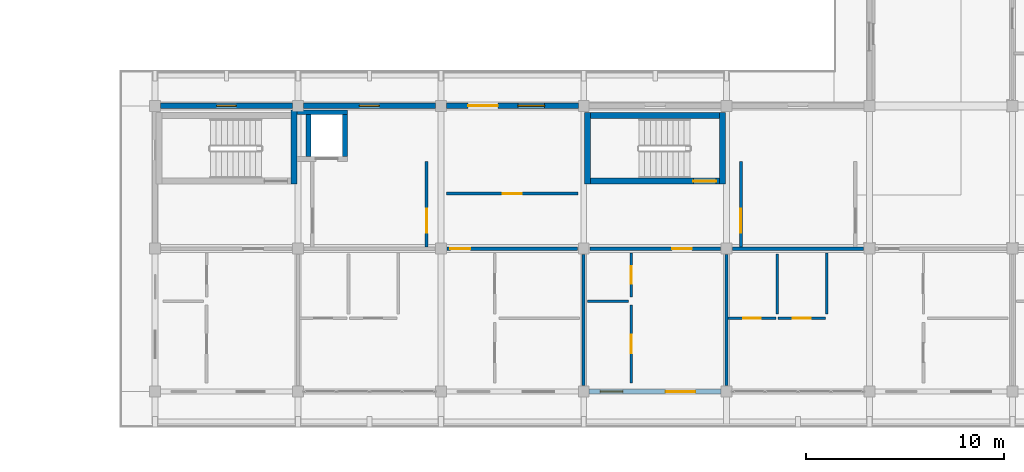
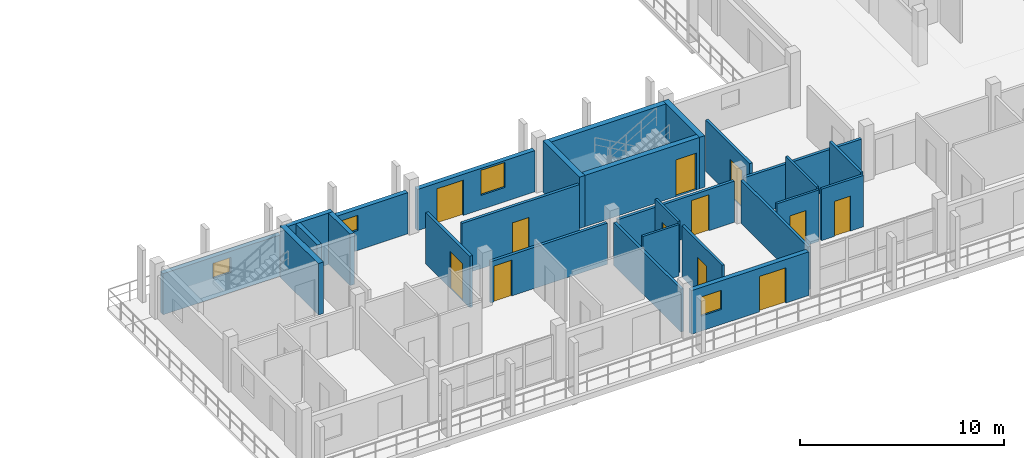
# One storey, part 41 of 60: 27 walls, 12 doors, 4 windows, 16 openings.
"""IFC4 building model written with IfcOpenShell, lengths in metres."""

from ifc_helpers import new_model, si_unit, direction, frame, frame_2d, origin, place, context, subcontext, project, spatial, rectangle, extrude, material, layer, layer_set, type_object, element, fill, save


model = new_model("IFC4")

# Units and contexts
model_context = context("Model", 3, precision=1e-05, world=origin(), true_north=direction((0.0, 1.0)))
body_context = subcontext(model_context, "Body", "Model", "MODEL_VIEW")
ifc_project = project(units=[si_unit("LENGTHUNIT", "METRE"), si_unit("AREAUNIT", "SQUARE_METRE"), si_unit("VOLUMEUNIT", "CUBIC_METRE"), si_unit("PLANEANGLEUNIT", "RADIAN"), si_unit("MASSUNIT", "GRAM", prefix="KILO")], contexts=[model_context])

# Site, building, storey
site_placement = place(None, origin())
site = spatial("IfcSite", under=ifc_project, at=site_placement, CompositionType="ELEMENT")
building_placement = place(site_placement, origin())
building = spatial("IfcBuilding", under=site, at=building_placement, Name="Suanplinth Sawtooth Commons", CompositionType="ELEMENT")
storey_placement = place(building_placement, frame((0.0, 0.0, 31.5)))
storey = spatial("IfcBuildingStorey", under=building, at=storey_placement, Name="L09", CompositionType="ELEMENT", Elevation=31.5)

# Wall
ifc_material_1 = material(Name="Concrete C40/50", Category="concrete")
ifc_layer_1 = layer(ifc_material_1, 0.300048828125, Name="Standard RC stair and lift core wall 300mm")
ifc_layer_set_1 = layer_set([ifc_layer_1], Name="Concrete C40/50")
wall_type_1 = type_object("IfcWallType", Name="W-CR02", PredefinedType="SHEAR", material=ifc_layer_set_1)
wall_1_placement = place(storey_placement, frame((143.800048828125, 10.449951171875, 0.0), z_axis=(0.0, 0.0, 1.0), x_axis=(0.0, 1.0, 0.0)))
element("IfcWall", 1, at=wall_1_placement, inside=storey, type_object=wall_type_1, Name="W-L09-C-C1-STE", PredefinedType="SHEAR", context=body_context, shape_type="SweptSolid", body=[
    extrude(rectangle(XDim=3.75, YDim=0.300048828125, at=frame_2d((1.875, 0.0))), origin(), (0.0, 0.0, 1.0), 3.080078125),
])

# Wall, opening, door
wall_2_placement = place(storey_placement, frame((158.75, 10.60009765625, 0.0), z_axis=(0.0, 0.0, 1.0), x_axis=(1.0, 0.0, 0.0)))
wall_2 = element("IfcWall", 2, at=wall_2_placement, inside=storey, type_object=wall_type_1, Name="W-L09-C-C2-STS", PredefinedType="SHEAR", context=body_context, shape_type="SweptSolid", body=[
    extrude(rectangle(XDim=6.5, YDim=0.300048828125, at=frame_2d((3.25, 0.0))), origin(), (0.0, 0.0, 1.0), 3.080078125),
])
opening_1_placement = place(wall_2_placement, frame((5.169921875, 0.0, 0.0)))
opening_1 = element("IfcOpeningElement", 3, at=opening_1_placement, cuts=wall_2, Name="Opening FD0351", PredefinedType="OPENING", context=body_context, shape_type="SweptSolid", body=[
    extrude(rectangle(XDim=1.14990234375, YDim=2.199951171875, at=frame_2d((0.574951171875, 1.10009765625))), frame((0.0, 0.1650390625, 0.0), z_axis=(0.0, -1.0, 0.0), x_axis=(1.0, 0.0, 0.0)), (0.0, 0.0, 1.0), 0.329833984375),
])
ifc_material_2 = material(Name="Teak hardwood fire-rated door assembly", Category="wood")
door_type_1 = type_object("IfcDoorType", Name="FD-01", OperationType="NOTDEFINED", PredefinedType="DOOR", material=ifc_material_2)
door_1_placement = place(opening_1_placement, origin())
door_1 = element("IfcDoor", 4, at=door_1_placement, inside=storey, type_object=door_type_1, Name="Exit Stair Fire Door FD0351", OperationType="SINGLE_SWING_RIGHT", OverallHeight=2.199951171875, OverallWidth=1.14990234375, PredefinedType="DOOR", context=body_context, shape_type="SweptSolid", body=[
    extrude(rectangle(XDim=1.14990234375, YDim=2.199951171875, at=frame_2d((0.574951171875, 1.10009765625))), frame((0.0, 0.02490234375, 0.0), z_axis=(0.0, -1.0, 0.0), x_axis=(1.0, 0.0, 0.0)), (0.0, 0.0, 1.0), 0.050048828125),
])
fill(opening_1, door_1)

# Walls
wall_3_placement = place(storey_placement, frame((158.75, 13.89990234375, 0.0), z_axis=(0.0, 0.0, 1.0), x_axis=(1.0, 0.0, 0.0)))
element("IfcWall", 5, at=wall_3_placement, inside=storey, type_object=wall_type_1, Name="W-L09-C-C2-STN", PredefinedType="SHEAR", context=body_context, shape_type="SweptSolid", body=[
    extrude(rectangle(XDim=6.5, YDim=0.300048828125, at=frame_2d((3.25, 0.0))), origin(), (0.0, 0.0, 1.0), 3.080078125),
])
for number, where, z_axis, x_axis, name in (
    (6, (158.60009765625, 10.449951171875, 0.0), (0.0, 0.0, 1.0), (0.0, 1.0, 0.0), "W-L09-C-C2-STW"),
    (7, (165.39990234375, 10.449951171875, 0.0), (0.0, 0.0, 1.0), (0.0, 1.0, 0.0), "W-L09-C-C2-STE"),
):
    element("IfcWall", number, at=place(storey_placement, frame(where, z_axis=z_axis, x_axis=x_axis)), inside=storey, type_object=wall_type_1, Name=name, PredefinedType="SHEAR", context=body_context, shape_type="SweptSolid", body=[
        extrude(rectangle(XDim=3.60009765625, YDim=0.300048828125, at=frame_2d((1.800048828125, 0.0))), origin(), (0.0, 0.0, 1.0), 3.080078125),
    ])

# Wall, opening, window
ifc_material_3 = material(Name="Precast concrete C40/50", Category="concrete")
ifc_layer_2 = layer(ifc_material_3, 0.260009765625, Name="Insulated precast courtyard facade wall 260mm")
ifc_layer_set_2 = layer_set([ifc_layer_2], Name="Precast concrete C40/50")
wall_type_2 = type_object("IfcWallType", Name="W-EX02", PredefinedType="ELEMENTEDWALL", material=ifc_layer_set_2)
wall_4_placement = place(storey_placement, frame((137.074951171875, 14.39990234375, 0.0), z_axis=(0.0, 0.0, 1.0), x_axis=(1.0, 0.0, 0.0)))
wall_4 = element("IfcWall", 8, at=wall_4_placement, inside=storey, type_object=wall_type_2, Name="Facade Wall W-L09-C-N-19-1", PredefinedType="ELEMENTEDWALL", context=body_context, shape_type="SweptSolid", body=[
    extrude(rectangle(XDim=6.650146484375, YDim=0.260009765625, at=frame_2d((3.3251953125, 0.0))), origin(), (0.0, 0.0, 1.0), 2.465087890625),
])
opening_2_placement = place(wall_4_placement, frame((2.824951171875, 0.0, 1.199951171875)))
opening_2 = element("IfcOpeningElement", 9, at=opening_2_placement, cuts=wall_4, Name="Opening W0803", PredefinedType="OPENING", context=body_context, shape_type="SweptSolid", body=[
    extrude(rectangle(XDim=1.0, YDim=0.89990234375, at=frame_2d((0.5, 0.449951171875))), frame((0.0, 0.14501953125, 0.0), z_axis=(0.0, -1.0, 0.0), x_axis=(1.0, 0.0, 0.0)), (0.0, 0.0, 1.0), 0.289794921875),
])
ifc_material_4 = material(Name="Thermally broken aluminium and low-E double glazing", Category="aluminium")
window_type_1 = type_object("IfcWindowType", Name="WN-12", PartitioningType="SINGLE_PANEL", PredefinedType="WINDOW", material=ifc_material_4)
window_1_placement = place(opening_2_placement, origin())
window_1 = element("IfcWindow", 10, at=window_1_placement, inside=storey, type_object=window_type_1, Name="Core Daylight Window L09-C-19-1", OverallHeight=0.89990234375, OverallWidth=1.0, PartitioningType="SINGLE_PANEL", PredefinedType="WINDOW", context=body_context, shape_type="SweptSolid", body=[
    extrude(rectangle(XDim=1.0, YDim=0.89990234375, at=frame_2d((0.5, 0.449951171875))), frame((0.0, 0.030029296875, 0.0), z_axis=(0.0, -1.0, 0.0), x_axis=(1.0, 0.0, 0.0)), (0.0, 0.0, 1.0), 0.06005859375),
])
fill(opening_2, window_1)

wall_5_placement = place(storey_placement, frame((144.27490234375, 14.39990234375, 0.0), z_axis=(0.0, 0.0, 1.0), x_axis=(1.0, 0.0, 0.0)))
wall_5 = element("IfcWall", 11, at=wall_5_placement, inside=storey, type_object=wall_type_2, Name="Facade Wall W-L09-C-N-20-1", PredefinedType="ELEMENTEDWALL", context=body_context, shape_type="SweptSolid", body=[
    extrude(rectangle(XDim=6.650146484375, YDim=0.260009765625, at=frame_2d((3.3251953125, 0.0))), origin(), (0.0, 0.0, 1.0), 2.465087890625),
])
opening_3_placement = place(wall_5_placement, frame((2.824951171875, 0.0, 1.199951171875)))
opening_3 = element("IfcOpeningElement", 12, at=opening_3_placement, cuts=wall_5, Name="Opening W0805", PredefinedType="OPENING", context=body_context, shape_type="SweptSolid", body=[
    extrude(rectangle(XDim=1.0, YDim=0.89990234375, at=frame_2d((0.5, 0.449951171875))), frame((0.0, 0.14501953125, 0.0), z_axis=(0.0, -1.0, 0.0), x_axis=(1.0, 0.0, 0.0)), (0.0, 0.0, 1.0), 0.289794921875),
])
window_2_placement = place(opening_3_placement, origin())
window_2 = element("IfcWindow", 13, at=window_2_placement, inside=storey, type_object=window_type_1, Name="Core Daylight Window L09-C-20-1", OverallHeight=0.89990234375, OverallWidth=1.0, PartitioningType="SINGLE_PANEL", PredefinedType="WINDOW", context=body_context, shape_type="SweptSolid", body=[
    extrude(rectangle(XDim=1.0, YDim=0.89990234375, at=frame_2d((0.5, 0.449951171875))), frame((0.0, 0.030029296875, 0.0), z_axis=(0.0, -1.0, 0.0), x_axis=(1.0, 0.0, 0.0)), (0.0, 0.0, 1.0), 0.06005859375),
])
fill(opening_3, window_2)

# Wall, openings, door, window
wall_6_placement = place(storey_placement, frame((151.47509765625, 14.39990234375, 0.0), z_axis=(0.0, 0.0, 1.0), x_axis=(1.0, 0.0, 0.0)))
wall_6 = element("IfcWall", 14, at=wall_6_placement, inside=storey, type_object=wall_type_2, Name="Facade Wall W-L09-C-N-21-1", PredefinedType="ELEMENTEDWALL", context=body_context, shape_type="SweptSolid", body=[
    extrude(rectangle(XDim=6.64990234375, YDim=0.260009765625, at=frame_2d((3.324951171875, 0.0))), origin(), (0.0, 0.0, 1.0), 2.465087890625),
])
opening_4_placement = place(wall_6_placement, frame((1.10009765625, 0.0, 0.0)))
opening_4 = element("IfcOpeningElement", 15, at=opening_4_placement, cuts=wall_6, Name="Opening ED0724", PredefinedType="OPENING", context=body_context, shape_type="SweptSolid", body=[
    extrude(rectangle(XDim=1.5, YDim=2.1201171875, at=frame_2d((0.75, 1.06005859375))), frame((0.0, 0.14501953125, 0.0), z_axis=(0.0, -1.0, 0.0), x_axis=(1.0, 0.0, 0.0)), (0.0, 0.0, 1.0), 0.289794921875),
])
opening_5_placement = place(wall_6_placement, frame((3.60009765625, 0.0, 0.85498046875)))
opening_5 = element("IfcOpeningElement", 16, at=opening_5_placement, cuts=wall_6, Name="Opening W0807", PredefinedType="OPENING", context=body_context, shape_type="SweptSolid", body=[
    extrude(rectangle(XDim=1.35009765625, YDim=1.5, at=frame_2d((0.675048828125, 0.75))), frame((0.0, 0.14501953125, 0.0), z_axis=(0.0, -1.0, 0.0), x_axis=(1.0, 0.0, 0.0)), (0.0, 0.0, 1.0), 0.289794921875),
])
ifc_material_5 = material(Name="Anodized aluminium and low-E glass", Category="aluminium")
door_type_2 = type_object("IfcDoorType", Name="SD-03", OperationType="SLIDING_TO_LEFT", PredefinedType="DOOR", material=ifc_material_5)
door_2_placement = place(opening_4_placement, frame((1.5, 0.0, 0.0), z_axis=(0.0, 0.0, 1.0), x_axis=(-1.0, 0.0, 0.0)))
door_2 = element("IfcDoor", 17, at=door_2_placement, inside=storey, type_object=door_type_2, Name="Courtyard Balcony Door L09-C-21", OperationType="SLIDING_TO_LEFT", OverallHeight=2.1201171875, OverallWidth=1.5, PredefinedType="DOOR", context=body_context, shape_type="SweptSolid", body=[
    extrude(rectangle(XDim=1.5, YDim=2.1201171875, at=frame_2d((0.75, 1.06005859375))), frame((0.0, 0.02490234375, 0.0), z_axis=(0.0, -1.0, 0.0), x_axis=(1.0, 0.0, 0.0)), (0.0, 0.0, 1.0), 0.050048828125),
])
fill(opening_4, door_2)
window_type_2 = type_object("IfcWindowType", Name="WN-14", PartitioningType="SINGLE_PANEL", PredefinedType="WINDOW", material=ifc_material_4)
window_3_placement = place(opening_5_placement, origin())
window_3 = element("IfcWindow", 18, at=window_3_placement, inside=storey, type_object=window_type_2, Name="Courtyard Window L09-C-21", OverallHeight=1.5, OverallWidth=1.35009765625, PartitioningType="SINGLE_PANEL", PredefinedType="WINDOW", context=body_context, shape_type="SweptSolid", body=[
    extrude(rectangle(XDim=1.35009765625, YDim=1.5, at=frame_2d((0.675048828125, 0.75))), frame((0.0, 0.030029296875, 0.0), z_axis=(0.0, -1.0, 0.0), x_axis=(1.0, 0.0, 0.0)), (0.0, 0.0, 1.0), 0.06005859375),
])
fill(opening_5, window_3)

wall_7_placement = place(storey_placement, frame((158.675048828125, 0.0, 0.0), z_axis=(0.0, 0.0, 1.0), x_axis=(1.0, 0.0, 0.0)))
wall_7 = element("IfcWall", 19, at=wall_7_placement, inside=storey, type_object=wall_type_2, Name="Facade Wall W-L09-C-S-22-0", PredefinedType="ELEMENTEDWALL", context=body_context, shape_type="SweptSolid", body=[
    extrude(rectangle(XDim=6.64990234375, YDim=0.260009765625, at=frame_2d((3.324951171875, 0.0))), origin(), (0.0, 0.0, 1.0), 2.614990234375),
])
opening_6_placement = place(wall_7_placement, frame((3.85009765625, 0.0, 0.0)))
opening_6 = element("IfcOpeningElement", 20, at=opening_6_placement, cuts=wall_7, Name="Opening ED0725", PredefinedType="OPENING", context=body_context, shape_type="SweptSolid", body=[
    extrude(rectangle(XDim=1.5, YDim=2.1201171875, at=frame_2d((0.75, 1.06005859375))), frame((0.0, 0.14501953125, 0.0), z_axis=(0.0, -1.0, 0.0), x_axis=(1.0, 0.0, 0.0)), (0.0, 0.0, 1.0), 0.289794921875),
])
opening_7_placement = place(wall_7_placement, frame((0.550048828125, 0.0, 0.89990234375)))
opening_7 = element("IfcOpeningElement", 21, at=opening_7_placement, cuts=wall_7, Name="Opening W0808", PredefinedType="OPENING", context=body_context, shape_type="SweptSolid", body=[
    extrude(rectangle(XDim=1.14990234375, YDim=1.14990234375, at=frame_2d((0.574951171875, 0.574951171875))), frame((0.0, 0.14501953125, 0.0), z_axis=(0.0, -1.0, 0.0), x_axis=(1.0, 0.0, 0.0)), (0.0, 0.0, 1.0), 0.289794921875),
])
door_3_placement = place(opening_6_placement, frame((1.5, 0.0, 0.0), z_axis=(0.0, 0.0, 1.0), x_axis=(-1.0, 0.0, 0.0)))
door_3 = element("IfcDoor", 22, at=door_3_placement, inside=storey, type_object=door_type_2, Name="Balcony Sliding Door L09-C-22", OperationType="SLIDING_TO_LEFT", OverallHeight=2.1201171875, OverallWidth=1.5, PredefinedType="DOOR", context=body_context, shape_type="SweptSolid", body=[
    extrude(rectangle(XDim=1.5, YDim=2.1201171875, at=frame_2d((0.75, 1.06005859375))), frame((0.0, 0.02490234375, 0.0), z_axis=(0.0, -1.0, 0.0), x_axis=(1.0, 0.0, 0.0)), (0.0, 0.0, 1.0), 0.050048828125),
])
fill(opening_6, door_3)
window_type_3 = type_object("IfcWindowType", Name="WN-20", PartitioningType="SINGLE_PANEL", PredefinedType="WINDOW", material=ifc_material_4)
window_4_placement = place(opening_7_placement, origin())
window_4 = element("IfcWindow", 23, at=window_4_placement, inside=storey, type_object=window_type_3, Name="Apartment Window L09-C-22", OverallHeight=1.14990234375, OverallWidth=1.14990234375, PartitioningType="SINGLE_PANEL", PredefinedType="WINDOW", context=body_context, shape_type="SweptSolid", body=[
    extrude(rectangle(XDim=1.14990234375, YDim=1.14990234375, at=frame_2d((0.574951171875, 0.574951171875))), frame((0.0, 0.030029296875, 0.0), z_axis=(0.0, -1.0, 0.0), x_axis=(1.0, 0.0, 0.0)), (0.0, 0.0, 1.0), 0.06005859375),
])
fill(opening_7, window_4)

# Wall, opening, door
ifc_layer_3 = layer(ifc_material_3, 0.159912109375, Name="Fire-rated corridor and lobby wall 160mm")
ifc_layer_set_3 = layer_set([ifc_layer_3], Name="Precast concrete C40/50")
wall_type_3 = type_object("IfcWallType", Name="W-FW01", PredefinedType="PARTITIONING", material=ifc_layer_set_3)
wall_8_placement = place(storey_placement, frame((150.47998046875, 7.280029296875, 0.0), z_axis=(0.0, 0.0, 1.0), x_axis=(0.0, 1.0, 0.0)))
wall_8 = element("IfcWall", 24, at=wall_8_placement, inside=storey, type_object=wall_type_3, Name="W-L09-C-C1-LOB-E", PredefinedType="PARTITIONING", context=body_context, shape_type="SweptSolid", body=[
    extrude(rectangle(XDim=4.320068359375, YDim=0.159912109375, at=frame_2d((2.16015625, 0.0))), origin(), (0.0, 0.0, 1.0), 3.080078125),
])
opening_8_placement = place(wall_8_placement, frame((0.719970703125, 0.0, 0.0)))
opening_8 = element("IfcOpeningElement", 25, at=opening_8_placement, cuts=wall_8, Name="Opening FD0318", PredefinedType="OPENING", context=body_context, shape_type="SweptSolid", body=[
    extrude(rectangle(XDim=1.199951171875, YDim=2.199951171875, at=frame_2d((0.60009765625, 1.10009765625))), frame((0.0, 0.0947265625, 0.0), z_axis=(0.0, -1.0, 0.0), x_axis=(1.0, 0.0, 0.0)), (0.0, 0.0, 1.0), 0.189697265625),
])
door_type_3 = type_object("IfcDoorType", Name="FD-02", OperationType="NOTDEFINED", PredefinedType="DOOR", material=ifc_material_2)
door_4_placement = place(opening_8_placement, frame((1.199951171875, 0.0, 0.0), z_axis=(0.0, 0.0, 1.0), x_axis=(-1.0, 0.0, 0.0)))
door_4 = element("IfcDoor", 26, at=door_4_placement, inside=storey, type_object=door_type_3, Name="Lobby Fire Door FD0318", OperationType="SINGLE_SWING_LEFT", OverallHeight=2.199951171875, OverallWidth=1.199951171875, PredefinedType="DOOR", context=body_context, shape_type="SweptSolid", body=[
    extrude(rectangle(XDim=1.199951171875, YDim=2.199951171875, at=frame_2d((0.60009765625, 1.10009765625))), frame((0.0, 0.02490234375, 0.0), z_axis=(0.0, -1.0, 0.0), x_axis=(1.0, 0.0, 0.0)), (0.0, 0.0, 1.0), 0.050048828125),
])
fill(opening_8, door_4)

wall_9_placement = place(storey_placement, frame((166.320068359375, 7.280029296875, 0.0), z_axis=(0.0, 0.0, 1.0), x_axis=(0.0, 1.0, 0.0)))
wall_9 = element("IfcWall", 27, at=wall_9_placement, inside=storey, type_object=wall_type_3, Name="W-L09-C-C2-LOB-W", PredefinedType="PARTITIONING", context=body_context, shape_type="SweptSolid", body=[
    extrude(rectangle(XDim=4.320068359375, YDim=0.159912109375, at=frame_2d((2.16015625, 0.0))), origin(), (0.0, 0.0, 1.0), 3.080078125),
])
opening_9_placement = place(wall_9_placement, frame((0.719970703125, 0.0, 0.0)))
opening_9 = element("IfcOpeningElement", 28, at=opening_9_placement, cuts=wall_9, Name="Opening FD0352", PredefinedType="OPENING", context=body_context, shape_type="SweptSolid", body=[
    extrude(rectangle(XDim=1.199951171875, YDim=2.199951171875, at=frame_2d((0.60009765625, 1.10009765625))), frame((0.0, 0.0947265625, 0.0), z_axis=(0.0, -1.0, 0.0), x_axis=(1.0, 0.0, 0.0)), (0.0, 0.0, 1.0), 0.189697265625),
])
door_5_placement = place(opening_9_placement, origin())
door_5 = element("IfcDoor", 29, at=door_5_placement, inside=storey, type_object=door_type_3, Name="Lobby Fire Door FD0352", OperationType="SINGLE_SWING_LEFT", OverallHeight=2.199951171875, OverallWidth=1.199951171875, PredefinedType="DOOR", context=body_context, shape_type="SweptSolid", body=[
    extrude(rectangle(XDim=1.199951171875, YDim=2.199951171875, at=frame_2d((0.60009765625, 1.10009765625))), frame((0.0, 0.02490234375, 0.0), z_axis=(0.0, -1.0, 0.0), x_axis=(1.0, 0.0, 0.0)), (0.0, 0.0, 1.0), 0.050048828125),
])
fill(opening_9, door_5)

wall_10_placement = place(storey_placement, frame((151.5048828125, 7.199951171875, 0.0), z_axis=(0.0, 0.0, 1.0), x_axis=(1.0, 0.0, 0.0)))
wall_10 = element("IfcWall", 30, at=wall_10_placement, inside=storey, type_object=wall_type_3, Name="W-C-L09-U02-COR-S2", PredefinedType="PARTITIONING", context=body_context, shape_type="SweptSolid", body=[
    extrude(rectangle(XDim=6.590087890625, YDim=0.159912109375, at=frame_2d((3.294921875, 0.0))), origin(), (0.0, 0.0, 1.0), 2.465087890625),
])
opening_10_placement = place(wall_10_placement, frame((0.179931640625, 0.0, 0.0)))
opening_10 = element("IfcOpeningElement", 31, at=opening_10_placement, cuts=wall_10, Name="Opening FD1823", PredefinedType="OPENING", context=body_context, shape_type="SweptSolid", body=[
    extrude(rectangle(XDim=1.0, YDim=2.14990234375, at=frame_2d((0.5, 1.074951171875))), frame((0.0, 0.0947265625, 0.0), z_axis=(0.0, -1.0, 0.0), x_axis=(1.0, 0.0, 0.0)), (0.0, 0.0, 1.0), 0.189697265625),
])
door_type_4 = type_object("IfcDoorType", Name="FD-03", OperationType="NOTDEFINED", PredefinedType="DOOR", material=ifc_material_2)
door_6_placement = place(opening_10_placement, frame((1.0, 0.0, 0.0), z_axis=(0.0, 0.0, 1.0), x_axis=(-1.0, 0.0, 0.0)))
door_6 = element("IfcDoor", 32, at=door_6_placement, inside=storey, type_object=door_type_4, Name="Unit Entrance Door FD1823", OperationType="SINGLE_SWING_LEFT", OverallHeight=2.14990234375, OverallWidth=1.0, PredefinedType="DOOR", context=body_context, shape_type="SweptSolid", body=[
    extrude(rectangle(XDim=1.0, YDim=2.14990234375, at=frame_2d((0.5, 1.074951171875))), frame((0.0, 0.02490234375, 0.0), z_axis=(0.0, -1.0, 0.0), x_axis=(1.0, 0.0, 0.0)), (0.0, 0.0, 1.0), 0.050048828125),
])
fill(opening_10, door_6)

wall_11_placement = place(storey_placement, frame((158.705078125, 7.199951171875, 0.0), z_axis=(0.0, 0.0, 1.0), x_axis=(1.0, 0.0, 0.0)))
wall_11 = element("IfcWall", 33, at=wall_11_placement, inside=storey, type_object=wall_type_3, Name="W-C-L09-U03-COR", PredefinedType="PARTITIONING", context=body_context, shape_type="SweptSolid", body=[
    extrude(rectangle(XDim=6.58984375, YDim=0.159912109375, at=frame_2d((3.294921875, 0.0))), origin(), (0.0, 0.0, 1.0), 2.465087890625),
])
opening_11_placement = place(wall_11_placement, frame((4.14501953125, 0.0, 0.0)))
opening_11 = element("IfcOpeningElement", 34, at=opening_11_placement, cuts=wall_11, Name="Opening FD1828", PredefinedType="OPENING", context=body_context, shape_type="SweptSolid", body=[
    extrude(rectangle(XDim=1.0, YDim=2.14990234375, at=frame_2d((0.5, 1.074951171875))), frame((0.0, 0.0947265625, 0.0), z_axis=(0.0, -1.0, 0.0), x_axis=(1.0, 0.0, 0.0)), (0.0, 0.0, 1.0), 0.189697265625),
])
door_7_placement = place(opening_11_placement, frame((1.0, 0.0, 0.0), z_axis=(0.0, 0.0, 1.0), x_axis=(-1.0, 0.0, 0.0)))
door_7 = element("IfcDoor", 35, at=door_7_placement, inside=storey, type_object=door_type_4, Name="Unit Entrance Door FD1828", OperationType="SINGLE_SWING_RIGHT", OverallHeight=2.14990234375, OverallWidth=1.0, PredefinedType="DOOR", context=body_context, shape_type="SweptSolid", body=[
    extrude(rectangle(XDim=1.0, YDim=2.14990234375, at=frame_2d((0.5, 1.074951171875))), frame((0.0, 0.02490234375, 0.0), z_axis=(0.0, -1.0, 0.0), x_axis=(1.0, 0.0, 0.0)), (0.0, 0.0, 1.0), 0.050048828125),
])
fill(opening_11, door_7)

# Wall
wall_12_placement = place(storey_placement, frame((165.905029296875, 7.199951171875, 0.0), z_axis=(0.0, 0.0, 1.0), x_axis=(1.0, 0.0, 0.0)))
element("IfcWall", 36, at=wall_12_placement, inside=storey, type_object=wall_type_3, Name="W-C-L09-U04-COR-S1", PredefinedType="PARTITIONING", context=body_context, shape_type="SweptSolid", body=[
    extrude(rectangle(XDim=6.590087890625, YDim=0.159912109375, at=frame_2d((3.294921875, 0.0))), origin(), (0.0, 0.0, 1.0), 2.465087890625),
])

# Wall, opening, door
wall_13_placement = place(storey_placement, frame((151.47998046875, 9.97998046875, 0.0), z_axis=(0.0, 0.0, 1.0), x_axis=(1.0, 0.0, 0.0)))
wall_13 = element("IfcWall", 37, at=wall_13_placement, inside=storey, type_object=wall_type_3, Name="W-C-L09-COURTROOM-31-COR", PredefinedType="PARTITIONING", context=body_context, shape_type="SweptSolid", body=[
    extrude(rectangle(XDim=6.64013671875, YDim=0.159912109375, at=frame_2d((3.320068359375, 0.0))), origin(), (0.0, 0.0, 1.0), 3.080078125),
])
opening_12_placement = place(wall_13_placement, frame((2.85009765625, 0.0, 0.0)))
opening_12 = element("IfcOpeningElement", 38, at=opening_12_placement, cuts=wall_13, Name="Opening D1839", PredefinedType="OPENING", context=body_context, shape_type="SweptSolid", body=[
    extrude(rectangle(XDim=0.93994140625, YDim=2.1201171875, at=frame_2d((0.469970703125, 1.06005859375))), frame((0.0, 0.0947265625, 0.0), z_axis=(0.0, -1.0, 0.0), x_axis=(1.0, 0.0, 0.0)), (0.0, 0.0, 1.0), 0.189697265625),
])
ifc_material_6 = material(Name="Teak hardwood", Category="wood")
door_type_5 = type_object("IfcDoorType", Name="D-15", OperationType="NOTDEFINED", PredefinedType="DOOR", material=ifc_material_6)
door_8_placement = place(opening_12_placement, origin())
door_8 = element("IfcDoor", 39, at=door_8_placement, inside=storey, type_object=door_type_5, Name="Study Studio Door D1839", OperationType="SINGLE_SWING_LEFT", OverallHeight=2.1201171875, OverallWidth=0.93994140625, PredefinedType="DOOR", context=body_context, shape_type="SweptSolid", body=[
    extrude(rectangle(XDim=0.93994140625, YDim=2.1201171875, at=frame_2d((0.469970703125, 1.06005859375))), frame((0.0, 0.02490234375, 0.0), z_axis=(0.0, -1.0, 0.0), x_axis=(1.0, 0.0, 0.0)), (0.0, 0.0, 1.0), 0.050048828125),
])
fill(opening_12, door_8)

# Walls
ifc_layer_4 = layer(ifc_material_3, 0.14990234375, Name="Acoustic precast party demising wall 150mm")
ifc_layer_set_4 = layer_set([ifc_layer_4], Name="Precast concrete C40/50")
wall_type_4 = type_object("IfcWallType", Name="W-FW02", PredefinedType="PARTITIONING", material=ifc_layer_set_4)
for number, where, z_axis, x_axis, name in (
    (40, (158.39990234375, 0.304931640625, 0.0), (0.0, 0.0, 1.0), (0.0, 1.0, 0.0), "W-C-L09-U02-PTY"),
    (41, (165.60009765625, 0.304931640625, 0.0), (0.0, 0.0, 1.0), (0.0, 1.0, 0.0), "W-C-L09-U03-PTY"),
):
    element("IfcWall", number, at=place(storey_placement, frame(where, z_axis=z_axis, x_axis=x_axis)), inside=storey, type_object=wall_type_4, Name=name, PredefinedType="PARTITIONING", context=body_context, shape_type="SweptSolid", body=[
        extrude(rectangle(XDim=6.590087890625, YDim=0.14990234375, at=frame_2d((3.294921875, 0.0))), origin(), (0.0, 0.0, 1.0), 2.56494140625),
    ])

# Wall, opening, door
ifc_material_7 = material(Name="Gypsum plasterboard on steel stud", Category="steel")
ifc_layer_5 = layer(ifc_material_7, 0.139892578125, Name="Fire-rated kitchen partition 140mm")
ifc_layer_set_5 = layer_set([ifc_layer_5], Name="Gypsum plasterboard on steel stud")
wall_type_5 = type_object("IfcWallType", Name="W-PT01", PredefinedType="PARTITIONING", material=ifc_layer_set_5)
wall_14_placement = place(storey_placement, frame((160.794921875, 0.419921875, 0.0), z_axis=(0.0, 0.0, 1.0), x_axis=(0.0, 1.0, 0.0)))
wall_14 = element("IfcWall", 42, at=wall_14_placement, inside=storey, type_object=wall_type_5, Name="W-C-L09-U03-KITE", PredefinedType="PARTITIONING", context=body_context, shape_type="SweptSolid", body=[
    extrude(rectangle(XDim=3.940185546875, YDim=0.139892578125, at=frame_2d((1.97021484375, 0.0))), origin(), (0.0, 0.0, 1.0), 3.080078125),
])
opening_13_placement = place(wall_14_placement, frame((1.510009765625, 0.0, 0.0)))
opening_13 = element("IfcOpeningElement", 43, at=opening_13_placement, cuts=wall_14, Name="Opening D1830", PredefinedType="OPENING", context=body_context, shape_type="SweptSolid", body=[
    extrude(rectangle(XDim=0.919921875, YDim=2.10009765625, at=frame_2d((0.4599609375, 1.050048828125))), frame((0.0, 0.0849609375, 0.0), z_axis=(0.0, -1.0, 0.0), x_axis=(1.0, 0.0, 0.0)), (0.0, 0.0, 1.0), 0.169677734375),
])
door_type_6 = type_object("IfcDoorType", Name="D-02", OperationType="NOTDEFINED", PredefinedType="DOOR", material=ifc_material_6)
door_9_placement = place(opening_13_placement, origin())
door_9 = element("IfcDoor", 44, at=door_9_placement, inside=storey, type_object=door_type_6, Name="Kitchen Door D1830", OperationType="SINGLE_SWING_RIGHT", OverallHeight=2.10009765625, OverallWidth=0.919921875, PredefinedType="DOOR", context=body_context, shape_type="SweptSolid", body=[
    extrude(rectangle(XDim=0.919921875, YDim=2.10009765625, at=frame_2d((0.4599609375, 1.050048828125))), frame((0.0, 0.02490234375, 0.0), z_axis=(0.0, -1.0, 0.0), x_axis=(1.0, 0.0, 0.0)), (0.0, 0.0, 1.0), 0.050048828125),
])
fill(opening_13, door_9)

wall_15_placement = place(storey_placement, frame((168.199951171875, 3.68994140625, 0.0), z_axis=(0.0, 0.0, 1.0), x_axis=(1.0, 0.0, 0.0)))
wall_15 = element("IfcWall", 45, at=wall_15_placement, inside=storey, type_object=wall_type_5, Name="W-C-L09-U04-KIT1", PredefinedType="PARTITIONING", context=body_context, shape_type="SweptSolid", body=[
    extrude(rectangle(XDim=2.380126953125, YDim=0.139892578125, at=frame_2d((1.18994140625, 0.0))), origin(), (0.0, 0.0, 1.0), 3.080078125),
])
opening_14_placement = place(wall_15_placement, frame((0.72998046875, 0.0, 0.0)))
opening_14 = element("IfcOpeningElement", 46, at=opening_14_placement, cuts=wall_15, Name="Opening D1833", PredefinedType="OPENING", context=body_context, shape_type="SweptSolid", body=[
    extrude(rectangle(XDim=0.919921875, YDim=2.10009765625, at=frame_2d((0.4599609375, 1.050048828125))), frame((0.0, 0.0849609375, 0.0), z_axis=(0.0, -1.0, 0.0), x_axis=(1.0, 0.0, 0.0)), (0.0, 0.0, 1.0), 0.169677734375),
])
door_10_placement = place(opening_14_placement, origin())
door_10 = element("IfcDoor", 47, at=door_10_placement, inside=storey, type_object=door_type_6, Name="Kitchen Door D1833", OperationType="SINGLE_SWING_LEFT", OverallHeight=2.10009765625, OverallWidth=0.919921875, PredefinedType="DOOR", context=body_context, shape_type="SweptSolid", body=[
    extrude(rectangle(XDim=0.919921875, YDim=2.10009765625, at=frame_2d((0.4599609375, 1.050048828125))), frame((0.0, 0.02490234375, 0.0), z_axis=(0.0, -1.0, 0.0), x_axis=(1.0, 0.0, 0.0)), (0.0, 0.0, 1.0), 0.050048828125),
])
fill(opening_14, door_10)

# Walls
wall_16_placement = place(storey_placement, frame((170.64990234375, 3.909912109375, 0.0), z_axis=(0.0, 0.0, 1.0), x_axis=(0.0, 1.0, 0.0)))
element("IfcWall", 48, at=wall_16_placement, inside=storey, type_object=wall_type_5, Name="W-C-L09-U04-KIT2", PredefinedType="PARTITIONING", context=body_context, shape_type="SweptSolid", body=[
    extrude(rectangle(XDim=3.06005859375, YDim=0.139892578125, at=frame_2d((1.530029296875, 0.0))), origin(), (0.0, 0.0, 1.0), 3.080078125),
])
ifc_layer_6 = layer(ifc_material_7, 0.1298828125, Name="Moisture-resistant bathroom partition 130mm")
ifc_layer_set_6 = layer_set([ifc_layer_6], Name="Gypsum plasterboard on steel stud")
wall_type_6 = type_object("IfcWallType", Name="W-PT02", PredefinedType="PARTITIONING", material=ifc_layer_set_6)
wall_17_placement = place(storey_placement, frame((158.60009765625, 4.56005859375, 0.0), z_axis=(0.0, 0.0, 1.0), x_axis=(1.0, 0.0, 0.0)))
element("IfcWall", 49, at=wall_17_placement, inside=storey, type_object=wall_type_6, Name="W-C-L09-U03-STDIV", PredefinedType="PARTITIONING", context=body_context, shape_type="SweptSolid", body=[
    extrude(rectangle(XDim=2.0498046875, YDim=0.1298828125, at=frame_2d((1.02490234375, 0.0))), origin(), (0.0, 0.0, 1.0), 3.080078125),
])

# Wall, opening, door
wall_18_placement = place(storey_placement, frame((160.794921875, 4.760009765625, 0.0), z_axis=(0.0, 0.0, 1.0), x_axis=(0.0, 1.0, 0.0)))
wall_18 = element("IfcWall", 50, at=wall_18_placement, inside=storey, type_object=wall_type_6, Name="W-C-L09-U03-BTHE", PredefinedType="PARTITIONING", context=body_context, shape_type="SweptSolid", body=[
    extrude(rectangle(XDim=2.219970703125, YDim=0.1298828125, at=frame_2d((1.10986328125, 0.0))), origin(), (0.0, 0.0, 1.0), 3.080078125),
])
opening_15_placement = place(wall_18_placement, frame((0.669921875, 0.0, 0.0)))
opening_15 = element("IfcOpeningElement", 51, at=opening_15_placement, cuts=wall_18, Name="Opening D1829", PredefinedType="OPENING", context=body_context, shape_type="SweptSolid", body=[
    extrude(rectangle(XDim=0.8798828125, YDim=2.10009765625, at=frame_2d((0.43994140625, 1.050048828125))), frame((0.0, 0.079833984375, 0.0), z_axis=(0.0, -1.0, 0.0), x_axis=(1.0, 0.0, 0.0)), (0.0, 0.0, 1.0), 0.15966796875),
])
door_type_7 = type_object("IfcDoorType", Name="D-14", OperationType="NOTDEFINED", PredefinedType="DOOR", material=ifc_material_6)
door_11_placement = place(opening_15_placement, origin())
door_11 = element("IfcDoor", 52, at=door_11_placement, inside=storey, type_object=door_type_7, Name="Bathroom Door D1829", OperationType="SINGLE_SWING_LEFT", OverallHeight=2.10009765625, OverallWidth=0.8798828125, PredefinedType="DOOR", context=body_context, shape_type="SweptSolid", body=[
    extrude(rectangle(XDim=0.8798828125, YDim=2.10009765625, at=frame_2d((0.43994140625, 1.050048828125))), frame((0.0, 0.02490234375, 0.0), z_axis=(0.0, -1.0, 0.0), x_axis=(1.0, 0.0, 0.0)), (0.0, 0.0, 1.0), 0.050048828125),
])
fill(opening_15, door_11)

wall_19_placement = place(storey_placement, frame((165.679931640625, 3.695068359375, 0.0), z_axis=(0.0, 0.0, 1.0), x_axis=(1.0, 0.0, 0.0)))
wall_19 = element("IfcWall", 53, at=wall_19_placement, inside=storey, type_object=wall_type_6, Name="W-C-L09-U04-BTH1", PredefinedType="PARTITIONING", context=body_context, shape_type="SweptSolid", body=[
    extrude(rectangle(XDim=2.400146484375, YDim=0.1298828125, at=frame_2d((1.2001953125, 0.0))), origin(), (0.0, 0.0, 1.0), 3.080078125),
])
opening_16_placement = place(wall_19_placement, frame((0.75, 0.0, 0.0)))
opening_16 = element("IfcOpeningElement", 54, at=opening_16_placement, cuts=wall_19, Name="Opening D1832", PredefinedType="OPENING", context=body_context, shape_type="SweptSolid", body=[
    extrude(rectangle(XDim=0.89990234375, YDim=2.10009765625, at=frame_2d((0.449951171875, 1.050048828125))), frame((0.0, 0.079833984375, 0.0), z_axis=(0.0, -1.0, 0.0), x_axis=(1.0, 0.0, 0.0)), (0.0, 0.0, 1.0), 0.15966796875),
])
door_type_8 = type_object("IfcDoorType", Name="D-01", OperationType="NOTDEFINED", PredefinedType="DOOR", material=ifc_material_6)
door_12_placement = place(opening_16_placement, origin())
door_12 = element("IfcDoor", 55, at=door_12_placement, inside=storey, type_object=door_type_8, Name="Bathroom Door D1832", OperationType="SINGLE_SWING_RIGHT", OverallHeight=2.10009765625, OverallWidth=0.89990234375, PredefinedType="DOOR", context=body_context, shape_type="SweptSolid", body=[
    extrude(rectangle(XDim=0.89990234375, YDim=2.10009765625, at=frame_2d((0.449951171875, 1.050048828125))), frame((0.0, 0.02490234375, 0.0), z_axis=(0.0, -1.0, 0.0), x_axis=(1.0, 0.0, 0.0)), (0.0, 0.0, 1.0), 0.050048828125),
])
fill(opening_16, door_12)

# Walls
wall_20_placement = place(storey_placement, frame((168.14501953125, 3.89990234375, 0.0), z_axis=(0.0, 0.0, 1.0), x_axis=(0.0, 1.0, 0.0)))
element("IfcWall", 56, at=wall_20_placement, inside=storey, type_object=wall_type_6, Name="W-C-L09-U04-BTH2", PredefinedType="PARTITIONING", context=body_context, shape_type="SweptSolid", body=[
    extrude(rectangle(XDim=3.0400390625, YDim=0.1298828125, at=frame_2d((1.52001953125, 0.0))), origin(), (0.0, 0.0, 1.0), 3.080078125),
])
ifc_layer_7 = layer(ifc_material_3, 0.25, Name="Precast structural shear wall 250mm")
ifc_layer_set_7 = layer_set([ifc_layer_7], Name="Precast concrete C40/50")
wall_type_7 = type_object("IfcWallType", Name="W-SH01", PredefinedType="SHEAR", material=ifc_layer_set_7)
wall_21_placement = place(storey_placement, frame((143.949951171875, 14.074951171875, 0.0), z_axis=(0.0, 0.0, 1.0), x_axis=(1.0, 0.0, 0.0)))
element("IfcWall", 57, at=wall_21_placement, inside=storey, type_object=wall_type_7, Name="W-L09-LF5-N", PredefinedType="SHEAR", context=body_context, shape_type="SweptSolid", body=[
    extrude(rectangle(XDim=2.550048828125, YDim=0.25, at=frame_2d((1.27490234375, 0.0))), origin(), (0.0, 0.0, 1.0), 3.080078125),
])
for number, where, z_axis, x_axis, name in (
    (58, (144.52490234375, 11.85009765625, 0.0), (0.0, 0.0, 1.0), (0.0, 1.0, 0.0), "W-L09-LF5-W"),
    (59, (146.375, 11.85009765625, 0.0), (0.0, 0.0, 1.0), (0.0, 1.0, 0.0), "W-L09-LF5-E"),
):
    element("IfcWall", number, at=place(storey_placement, frame(where, z_axis=z_axis, x_axis=x_axis)), inside=storey, type_object=wall_type_7, Name=name, PredefinedType="SHEAR", context=body_context, shape_type="SweptSolid", body=[
        extrude(rectangle(XDim=2.099853515625, YDim=0.25, at=frame_2d((1.0498046875, 0.0))), origin(), (0.0, 0.0, 1.0), 3.080078125),
    ])

save(model, "model.ifc")
